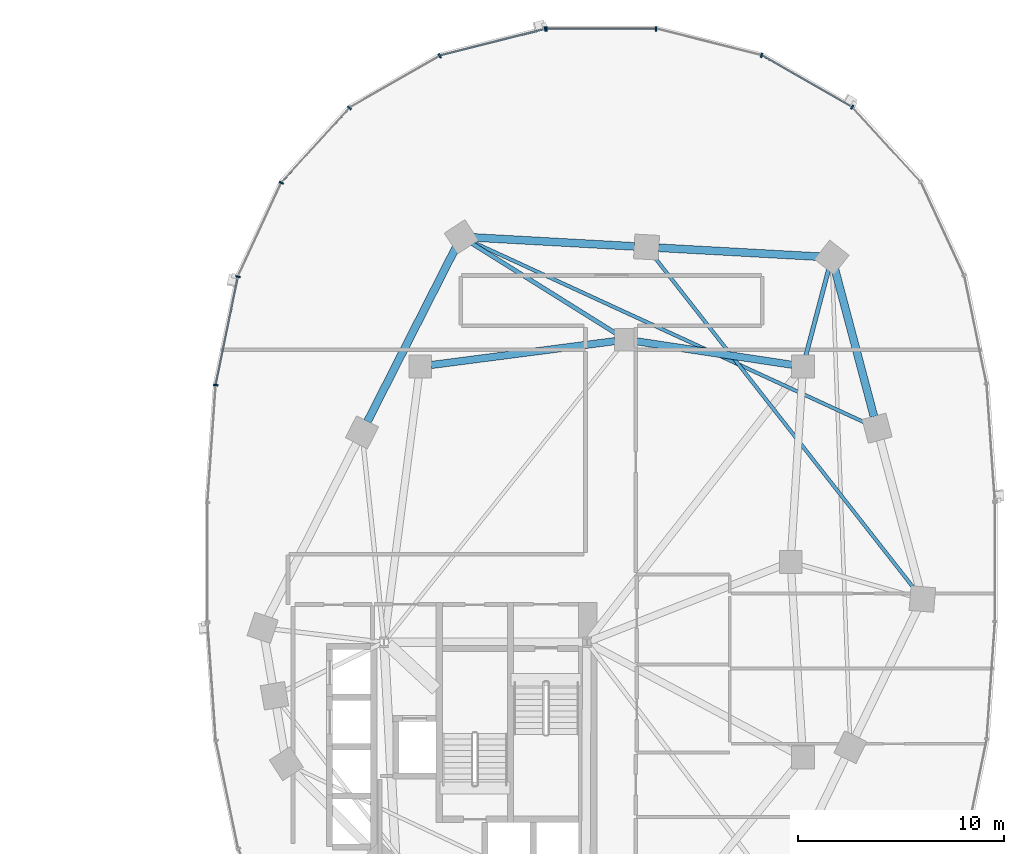
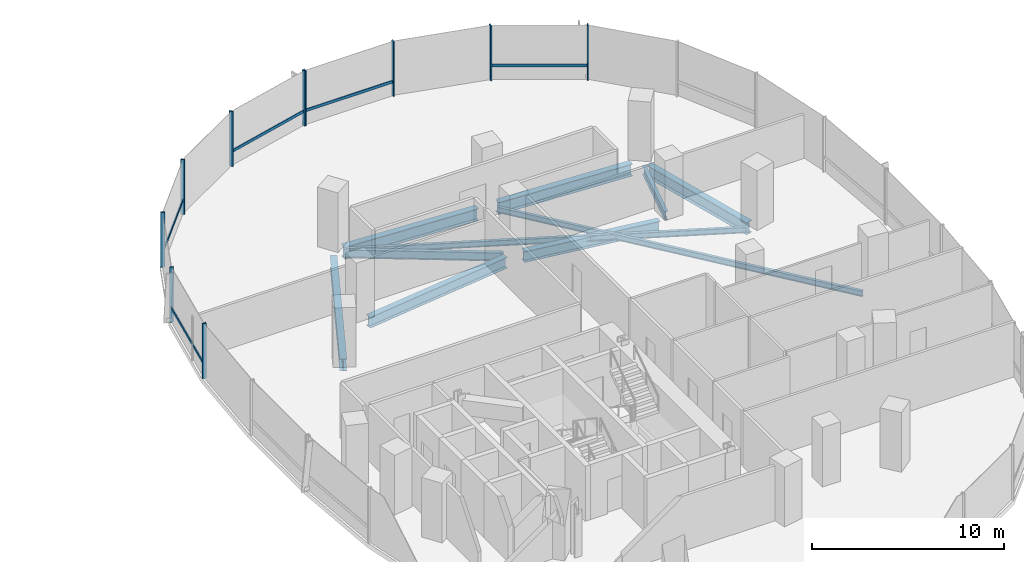
# One storey, part 7 of 21: 15 members, 10 beams, 2 elements without a shape of their own.
"""IFC4 building model written with IfcOpenShell, lengths in metres."""

import ifcopenshell
import ifcopenshell.guid

model = None  # the IFC model being written
_history = None  # IfcOwnerHistory: only IFC2X3 demands one
_inside = {}  # id of a spatial element -> (the spatial element, [elements in it])
_under = {}  # id of a project, library or spatial element -> (it, [spatial elements below it])
_declared = {}  # id of a project -> (the project, [libraries it declares])
_typed = {}  # id of a type object -> (the type object, [elements of that type])
_made_of = {}  # id of a material, layer set ... -> (it, [elements and type objects made of it])


def new_model(schema):
    """Start an empty IFC model of exactly this schema.

    Asked for "IFC4X3", IfcOpenShell would pick the latest addendum, in which some entities
    have other attributes; the version numbers below select the first issue.
    IFC2X3 requires an IfcOwnerHistory on every rooted entity: one is made here for all.
    """
    global model, _history
    if schema == "IFC4X3":
        model = ifcopenshell.file(schema_version=(4, 3, 0, 0))
    else:
        model = ifcopenshell.file(schema=schema)
    _inside.clear()
    _under.clear()
    _declared.clear()
    _typed.clear()
    _made_of.clear()
    _history = None
    if model.schema == "IFC2X3":
        org = make("IfcOrganization", Name="unknown")
        user = make(
            "IfcPersonAndOrganization",
            ThePerson=make("IfcPerson", FamilyName="unknown"),
            TheOrganization=org,
        )
        app = make(
            "IfcApplication",
            ApplicationDeveloper=org,
            Version="unknown",
            ApplicationFullName="unknown",
            ApplicationIdentifier="unknown",
        )
        _history = make(
            "IfcOwnerHistory",
            OwningUser=user,
            OwningApplication=app,
            ChangeAction="ADDED",
            CreationDate=0,
        )
    return model


def make(cls, **values):
    """One entity of the class cls with the attributes given. An attribute that is None is left unset."""
    return model.create_entity(
        cls, **{name: value for name, value in values.items() if value is not None}
    )


def rooted(cls, **values):
    """An entity with a GlobalId (a new one), such as an element, a storey or a relation."""
    return make(cls, GlobalId=ifcopenshell.guid.new(), OwnerHistory=_history, **values)


def si_unit(unit_type, name, prefix=None):
    """IfcSIUnit, for example si_unit("LENGTHUNIT", "METRE", prefix="MILLI")."""
    return make("IfcSIUnit", UnitType=unit_type, Prefix=prefix, Name=name)


def assignment(units):
    """IfcUnitAssignment: the units of a project."""
    return None if units is None else make("IfcUnitAssignment", Units=units)


def point(xyz):
    """IfcCartesianPoint."""
    return None if xyz is None else make("IfcCartesianPoint", Coordinates=xyz)


def direction(xyz):
    """IfcDirection."""
    return None if xyz is None else make("IfcDirection", DirectionRatios=xyz)


def frame(location, z_axis=None, x_axis=None):
    """IfcAxis2Placement3D, a coordinate frame: its origin and axes. An axis left out is left unset."""
    return make(
        "IfcAxis2Placement3D",
        Location=point(location),
        Axis=direction(z_axis),
        RefDirection=direction(x_axis),
    )


def frame_2d(location, x_axis=None):
    """IfcAxis2Placement2D, a coordinate frame in the plane: its origin and x axis."""
    return make(
        "IfcAxis2Placement2D", Location=point(location), RefDirection=direction(x_axis)
    )


def origin():
    """The frame at (0, 0, 0) with its axes left unset."""
    return frame((0.0, 0.0, 0.0))


def origin_2d():
    """The frame at (0, 0) in the plane with its x axis left unset."""
    return frame_2d((0.0, 0.0))


def place(relative_to, where):
    """IfcLocalPlacement: puts the frame where relative to a parent placement (None: the world)."""
    return make(
        "IfcLocalPlacement", PlacementRelTo=relative_to, RelativePlacement=where
    )


def context(
    kind, dimensions, precision=None, world=None, true_north=None, identifier=None
):
    """IfcGeometricRepresentationContext, for example the 3D "Model" context."""
    return make(
        "IfcGeometricRepresentationContext",
        ContextIdentifier=identifier,
        ContextType=kind,
        CoordinateSpaceDimension=dimensions,
        Precision=precision,
        WorldCoordinateSystem=world,
        TrueNorth=true_north,
    )


def subcontext(parent, identifier, kind, view, scale=None):
    """IfcGeometricRepresentationSubContext, for example "Body" below "Model"."""
    return make(
        "IfcGeometricRepresentationSubContext",
        ContextIdentifier=identifier,
        ContextType=kind,
        ParentContext=parent,
        TargetScale=scale,
        TargetView=view,
    )


def project(units=None, contexts=None):
    """IfcProject with its units and contexts."""
    return rooted(
        "IfcProject",
        Name="project",
        RepresentationContexts=contexts,
        UnitsInContext=assignment(units),
    )


def spatial(cls, under=None, at=None, **own):
    """A site, building, storey or space (cls), placed at a placement, below another one or the project."""
    s = rooted(cls, ObjectPlacement=at, **own)
    if under is not None:
        _under.setdefault(under.id(), (under, []))[1].append(s)
    return s


def profile(cls, at=None, kind="AREA", **sizes):
    """A parametric profile (cls). Its sizes go by their IFC names, for example OverallWidth=200.0."""
    return make(cls, ProfileType=kind, Position=at, **sizes)


def rectangle(**sizes):
    """IfcRectangleProfileDef."""
    return profile("IfcRectangleProfileDef", **sizes)


def i_section(**sizes):
    """IfcIShapeProfileDef."""
    return profile("IfcIShapeProfileDef", **sizes)


def extrude(swept, where, along, depth):
    """IfcExtrudedAreaSolid: the profile swept, set in the frame where, extruded along a direction by depth."""
    return make(
        "IfcExtrudedAreaSolid",
        SweptArea=swept,
        Position=where,
        ExtrudedDirection=direction(along),
        Depth=depth,
    )


def shape(context_of_items, identifier, shape_type, items):
    """IfcShapeRepresentation: the items that make up one representation, for example the "Body"."""
    return make(
        "IfcShapeRepresentation",
        ContextOfItems=context_of_items,
        RepresentationIdentifier=identifier,
        RepresentationType=shape_type,
        Items=items,
    )


def material(Name=None, Category=None):
    """IfcMaterial."""
    return make("IfcMaterial", Name=Name, Category=Category)


def material_profile(
    of_material, cross_section, Name=None, Category=None, Priority=None
):
    """IfcMaterialProfile: a cross section and its material."""
    return make(
        "IfcMaterialProfile",
        Name=Name,
        Material=of_material,
        Profile=cross_section,
        Priority=Priority,
        Category=Category,
    )


def profile_set(profiles, Name=None, composite=None):
    """IfcMaterialProfileSet."""
    return make(
        "IfcMaterialProfileSet",
        Name=Name,
        MaterialProfiles=profiles,
        CompositeProfile=composite,
    )


def made_of(thing, what):
    """Note that an element or type object is made of a material, layer set ...; save() writes the relation."""
    if what is not None:
        _made_of.setdefault(what.id(), (what, []))[1].append(thing)
    return thing


def type_object(cls, material=None, **own):
    """A type object (cls), such as IfcWallType, which elements share."""
    return made_of(rooted(cls, **own), material)


def element(
    cls,
    number,
    at=None,
    inside=None,
    cuts=None,
    type_object=None,
    material=None,
    context=None,
    identifier="Body",
    shape_type=None,
    held_by="IfcProductDefinitionShape",
    body=None,
    shapes=None,
    **own,
):
    """One element of the class cls, such as IfcWall. Its Tag is "e" and its number.

    at: its placement. inside: the storey or other place that contains it. cuts: it is an
    opening in that element (IfcRelVoidsElement). A single representation is given by context,
    identifier, shape_type and body (its items); several are given by shapes. held_by: the class
    of the entity that holds the representations. save() writes the other relations.
    """
    e = rooted(cls, Tag="e%d" % number, ObjectPlacement=at, **own)
    if body is not None:
        shapes = [shape(context, identifier, shape_type, body)]
    if shapes is not None:
        e.Representation = make(held_by, Representations=shapes)
    if inside is not None:
        _inside.setdefault(inside.id(), (inside, []))[1].append(e)
    if cuts is not None:
        rooted(
            "IfcRelVoidsElement", RelatingBuildingElement=cuts, RelatedOpeningElement=e
        )
    if type_object is not None:
        _typed.setdefault(type_object.id(), (type_object, []))[1].append(e)
    return made_of(e, material)


def aggregate(whole, parts):
    """IfcRelAggregates: a whole, such as a stair, and the parts it consists of."""
    return rooted("IfcRelAggregates", RelatingObject=whole, RelatedObjects=parts)


def save(model, path):
    """Write the relations noted so far, then the file.

    IfcRelAggregates (storeys below a building ...), IfcRelContainedInSpatialStructure (elements
    in a storey), IfcRelDefinesByType, IfcRelAssociatesMaterial and IfcRelDeclares: one each for
    every whole, place, type object, material and project.
    """
    for whole, parts in _under.values():
        aggregate(whole, parts)
    for where, things in _inside.values():
        rooted(
            "IfcRelContainedInSpatialStructure",
            RelatedElements=things,
            RelatingStructure=where,
        )
    for kind, things in _typed.values():
        rooted("IfcRelDefinesByType", RelatedObjects=things, RelatingType=kind)
    for what, things in _made_of.values():
        rooted("IfcRelAssociatesMaterial", RelatedObjects=things, RelatingMaterial=what)
    for by, libraries in _declared.values():
        rooted("IfcRelDeclares", RelatingContext=by, RelatedDefinitions=libraries)
    model.write(path)


model = new_model("IFC4")

# Units and contexts
model_context = context("Model", 3, precision=1e-05, world=origin(), true_north=direction((0.0, 1.0)))
body_context = subcontext(model_context, "Body", "Model", "MODEL_VIEW")
ifc_project = project(units=[si_unit("LENGTHUNIT", "METRE"), si_unit("AREAUNIT", "SQUARE_METRE"), si_unit("VOLUMEUNIT", "CUBIC_METRE"), si_unit("PLANEANGLEUNIT", "RADIAN"), si_unit("MASSUNIT", "GRAM", prefix="KILO"), si_unit("THERMODYNAMICTEMPERATUREUNIT", "KELVIN"), si_unit("POWERUNIT", "WATT")], contexts=[model_context])

# Site, building, storey
site_placement = place(None, origin())
site = spatial("IfcSite", under=ifc_project, at=site_placement, CompositionType="ELEMENT")
building_placement = place(site_placement, origin())
building = spatial("IfcBuilding", under=site, at=building_placement, Name="Cundina Bronze Exchange", CompositionType="ELEMENT")
storey_placement = place(building_placement, frame((0.0, 0.0, 50.60009765625)))
storey = spatial("IfcBuildingStorey", under=building, at=storey_placement, Name="L12", CompositionType="ELEMENT", Elevation=50.60009765625)

# Beams
ifc_material_1 = material(Name="Steel ASTM A992 Grade 50", Category="steel")
ifc_material_profile_1 = material_profile(ifc_material_1, i_section(OverallWidth=0.2099609375, OverallDepth=0.532958984375, WebThickness=0.01025390625, FlangeThickness=0.015625, FilletRadius=0.013916015625, at=origin_2d()), Name="W21X62", Category="steel")
ifc_profile_set_1 = profile_set([ifc_material_profile_1], Name="Steel ASTM A992 Grade 50")
beam_type_1 = type_object("IfcBeamType", Name="BM-FLR-W21B", PredefinedType="BEAM", material=ifc_profile_set_1)
beam_1_placement = place(storey_placement, frame((41.9375, 10.020263671875, -0.566650390625), z_axis=(0.255373327887, 0.966842522546, 0.0), x_axis=(-0.966842522546, 0.255373327887, 0.0)))
element("IfcBeam", 1, at=beam_1_placement, inside=storey, type_object=beam_type_1, Name="L12 Leg E Chordal Floor Beam 10", PredefinedType="BEAM", context=body_context, shape_type="SweptSolid", body=[
    extrude(i_section(OverallWidth=0.2099609375, OverallDepth=0.532958984375, WebThickness=0.01025390625, FlangeThickness=0.015625, FilletRadius=0.013916015625, at=origin_2d()), origin(), (0.0, 0.0, 1.0), 4.355712890625),
])
beam_2_placement = place(storey_placement, frame((32.743896484375, 11.085205078125, -0.566650390625), z_axis=(-0.848014812458, 0.529972525563, 0.0), x_axis=(-0.529972525563, -0.848014812458, 0.0)))
element("IfcBeam", 2, at=beam_2_placement, inside=storey, type_object=beam_type_1, Name="L12 Leg E Chordal Floor Beam 12", PredefinedType="BEAM", context=body_context, shape_type="SweptSolid", body=[
    extrude(i_section(OverallWidth=0.2099609375, OverallDepth=0.532958984375, WebThickness=0.01025390625, FlangeThickness=0.015625, FilletRadius=0.013916015625, at=origin_2d()), origin(), (0.0, 0.0, 1.0), 8.30810546875),
])
ifc_material_profile_2 = material_profile(ifc_material_1, i_section(OverallWidth=0.172119140625, OverallDepth=0.35791015625, WebThickness=0.0078125, FlangeThickness=0.01318359375, FilletRadius=0.010009765625, at=origin_2d()), Name="W14X38", Category="steel")
ifc_profile_set_2 = profile_set([ifc_material_profile_2], Name="Steel ASTM A992 Grade 50")
beam_type_2 = type_object("IfcBeamType", Name="BM-JST-W14", PredefinedType="JOIST", material=ifc_profile_set_2)
beam_3_placement = place(storey_placement, frame((47.2373046875, -1.337158203125, -0.47900390625), z_axis=(-0.616803089524, 0.787117493614, 0.0), x_axis=(-0.787117493614, -0.616803089524, 0.0)))
element("IfcBeam", 3, at=beam_3_placement, inside=storey, type_object=beam_type_2, Name="L12 Leg E Lobe Floor Joist 08-11", PredefinedType="JOIST", context=body_context, shape_type="SweptSolid", body=[
    extrude(i_section(OverallWidth=0.172119140625, OverallDepth=0.35791015625, WebThickness=0.0078125, FlangeThickness=0.01318359375, FilletRadius=0.010009765625, at=origin_2d()), origin(), (0.0, 0.0, 1.0), 20.548828125),
])
beam_4_placement = place(storey_placement, frame((44.865966796875, 6.745849609375, -0.47900390625), z_axis=(-0.908351511887, 0.418207521277, 0.0), x_axis=(-0.418207521277, -0.908351511887, 0.0)))
element("IfcBeam", 4, at=beam_4_placement, inside=storey, type_object=beam_type_2, Name="L12 Leg E Lobe Floor Joist 09-12", PredefinedType="JOIST", context=body_context, shape_type="SweptSolid", body=[
    extrude(i_section(OverallWidth=0.172119140625, OverallDepth=0.35791015625, WebThickness=0.0078125, FlangeThickness=0.01318359375, FilletRadius=0.010009765625, at=origin_2d()), origin(), (0.0, 0.0, 1.0), 21.062255859375),
])
ifc_material_profile_3 = material_profile(ifc_material_1, i_section(OverallWidth=0.35498046875, OverallDepth=0.695068359375, WebThickness=0.015380859375, FlangeThickness=0.02490234375, FilletRadius=0.01806640625, at=origin_2d()), Name="W27X146", Category="steel")
ifc_profile_set_3 = profile_set([ifc_material_profile_3], Name="Steel ASTM A992 Grade 50")
beam_type_3 = type_object("IfcBeamType", Name="BM-RING-W27", PredefinedType="USERDEFINED", material=ifc_profile_set_3)
beam_5_placement = place(storey_placement, frame((41.26806640625, 9.580322265625, -0.647705078125), z_axis=(-0.988767489563, 0.149461873341, 0.0), x_axis=(-0.149461873341, -0.988767489563, 0.0)))
element("IfcBeam", 5, at=beam_5_placement, inside=storey, type_object=beam_type_3, Name="L12 E Inner Structural Ring Girder 05", ObjectType="GIRDER", PredefinedType="USERDEFINED", context=body_context, shape_type="SweptSolid", body=[
    extrude(i_section(OverallWidth=0.35498046875, OverallDepth=0.695068359375, WebThickness=0.015380859375, FlangeThickness=0.02490234375, FilletRadius=0.01806640625, at=origin_2d()), origin(), (0.0, 0.0, 1.0), 7.621826171875),
])
beam_6_placement = place(storey_placement, frame((32.66650390625, 10.730712890625, -0.647705078125), z_axis=(-0.991654577907, -0.128923225666, 0.0), x_axis=(0.128923225666, -0.991654577907, 0.0)))
element("IfcBeam", 6, at=beam_6_placement, inside=storey, type_object=beam_type_3, Name="L12 E Inner Structural Ring Girder 06", ObjectType="GIRDER", PredefinedType="USERDEFINED", context=body_context, shape_type="SweptSolid", body=[
    extrude(i_section(OverallWidth=0.35498046875, OverallDepth=0.695068359375, WebThickness=0.015380859375, FlangeThickness=0.02490234375, FilletRadius=0.01806640625, at=origin_2d()), origin(), (0.0, 0.0, 1.0), 9.00830078125),
])
ifc_material_profile_4 = material_profile(ifc_material_1, i_section(OverallWidth=0.381103515625, OverallDepth=0.77294921875, WebThickness=0.0166015625, FlangeThickness=0.027099609375, FilletRadius=0.01904296875, at=origin_2d()), Name="W30X173", Category="steel")
ifc_profile_set_4 = profile_set([ifc_material_profile_4], Name="Steel ASTM A992 Grade 50")
beam_type_4 = type_object("IfcBeamType", Name="BM-RING-W30", PredefinedType="USERDEFINED", material=ifc_profile_set_4)
beam_7_placement = place(storey_placement, frame((45.249267578125, 7.068359375, -0.6865234375), z_axis=(-0.256208567826, 0.966621523541, 0.0), x_axis=(-0.966621523541, -0.256208567826, 0.0)))
element("IfcBeam", 7, at=beam_7_placement, inside=storey, type_object=beam_type_4, Name="L12 E Perimeter Ring Girder 09", ObjectType="GIRDER", PredefinedType="USERDEFINED", context=body_context, shape_type="SweptSolid", body=[
    extrude(i_section(OverallWidth=0.381103515625, OverallDepth=0.77294921875, WebThickness=0.0166015625, FlangeThickness=0.027099609375, FilletRadius=0.01904296875, at=origin_2d()), origin(), (0.0, 0.0, 1.0), 7.41064453125),
])
for number, where, z_axis, x_axis, name in (
    (8, (42.61279296875, 14.83251953125, -0.6865234375), (-0.998459969805, 0.055476920391, 0.0), (-0.055476920391, -0.998459969805, 0.0), "L12 E Perimeter Ring Girder 10"),
    (9, (33.61279296875, 15.33251953125, -0.6865234375), (-0.998459969805, 0.055476920391, 0.0), (-0.055476920391, -0.998459969805, 0.0), "L12 E Perimeter Ring Girder 11"),
):
    element("IfcBeam", number, at=place(storey_placement, frame(where, z_axis=z_axis, x_axis=x_axis)), inside=storey, type_object=beam_type_4, Name=name, ObjectType="GIRDER", PredefinedType="USERDEFINED", context=body_context, shape_type="SweptSolid", body=[
        extrude(i_section(OverallWidth=0.381103515625, OverallDepth=0.77294921875, WebThickness=0.0166015625, FlangeThickness=0.027099609375, FilletRadius=0.01904296875, at=origin_2d()), origin(), (0.0, 0.0, 1.0), 7.837646484375),
    ])
beam_8_placement = place(storey_placement, frame((24.93359375, 15.275634765625, -0.6865234375), z_axis=(-0.452819633606, -0.891602141889, 0.0), x_axis=(0.891602141889, -0.452819633606, 0.0)))
element("IfcBeam", 10, at=beam_8_placement, inside=storey, type_object=beam_type_4, Name="L12 E Perimeter Ring Girder 12", ObjectType="GIRDER", PredefinedType="USERDEFINED", context=body_context, shape_type="SweptSolid", body=[
    extrude(i_section(OverallWidth=0.381103515625, OverallDepth=0.77294921875, WebThickness=0.0166015625, FlangeThickness=0.027099609375, FilletRadius=0.01904296875, at=origin_2d()), origin(), (0.0, 0.0, 1.0), 9.47900390625),
])

# Curtain wall, members
ifc_material_2 = material(Name="Anodised Bronze Aluminium 6063-T6", Category="aluminium")
curtain_wall_type = type_object("IfcCurtainWallType", Name="CWS-TRD-LOW", PredefinedType="NOTDEFINED", material=ifc_material_2)
curtain_wall_1_placement = place(storey_placement, origin())
curtain_wall_1 = element("IfcCurtainWall", 11, at=curtain_wall_1_placement, inside=storey, type_object=curtain_wall_type, Name="L12 CW-02 Curtain Wall Run CWR-L12-E1", PredefinedType="NOTDEFINED")
ifc_material_profile_5 = material_profile(ifc_material_2, rectangle(XDim=0.074951171875, YDim=0.219970703125, at=origin_2d()), Name="AL75X220", Category="aluminium")
ifc_profile_set_5 = profile_set([ifc_material_profile_5], Name="Anodised Bronze Aluminium 6063-T6")
member_type_1 = type_object("IfcMemberType", Name="CWM-MUL-220", PredefinedType="MULLION", material=ifc_profile_set_5)
member_1_placement = place(storey_placement, frame((44.189697265625, 22.097412109375, 0.0), z_axis=(0.0, 0.0, 1.0), x_axis=(-0.867070701164, 0.498185105339, 0.0)))
member_1 = element("IfcMember", 12, at=member_1_placement, type_object=member_type_1, Name="CW-02 Mullion 5", PredefinedType="MULLION", context=body_context, shape_type="SweptSolid", body=[
    extrude(rectangle(XDim=0.074951171875, YDim=0.219970703125, at=origin_2d()), origin(), (0.0, 0.0, 1.0), 3.5),
])
member_2_placement = place(storey_placement, frame((39.78515625, 24.61669921875, 0.0), z_axis=(0.0, 0.0, 1.0), x_axis=(-0.969488149345, 0.245138182011, 0.0)))
member_2 = element("IfcMember", 13, at=member_2_placement, type_object=member_type_1, Name="CW-02 Mullion 6", PredefinedType="MULLION", context=body_context, shape_type="SweptSolid", body=[
    extrude(rectangle(XDim=0.074951171875, YDim=0.219970703125, at=origin_2d()), origin(), (0.0, 0.0, 1.0), 3.5),
])
member_3_placement = place(storey_placement, frame((34.654541015625, 25.905029296875, 0.0), z_axis=(0.0, 0.0, 1.0), x_axis=(-1.0, 0.0, 0.0)))
member_3 = element("IfcMember", 14, at=member_3_placement, type_object=member_type_1, Name="CW-02 Mullion 7", PredefinedType="MULLION", context=body_context, shape_type="SweptSolid", body=[
    extrude(rectangle(XDim=0.074951171875, YDim=0.219970703125, at=origin_2d()), origin(), (0.0, 0.0, 1.0), 3.5),
])
member_4_placement = place(storey_placement, frame((29.345458984375, 25.905029296875, 0.0), z_axis=(0.0, 0.0, 1.0), x_axis=(-1.0, 0.0, 0.0)))
member_4 = element("IfcMember", 15, at=member_4_placement, type_object=member_type_1, Name="CW-02 End Mullion", PredefinedType="MULLION", context=body_context, shape_type="SweptSolid", body=[
    extrude(rectangle(XDim=0.074951171875, YDim=0.219970703125, at=origin_2d()), origin(), (0.0, 0.0, 1.0), 3.5),
])

curtain_wall_2_placement = place(storey_placement, origin())
curtain_wall_2 = element("IfcCurtainWall", 16, at=curtain_wall_2_placement, inside=storey, type_object=curtain_wall_type, Name="L12 CW-02 Curtain Wall Run CWR-L12-E2", PredefinedType="NOTDEFINED")
member_5_placement = place(storey_placement, frame((29.27392578125, 25.89599609375, 0.0), z_axis=(0.0, 0.0, 1.0), x_axis=(-0.969488149345, -0.245138182011, 0.0)))
member_5 = element("IfcMember", 17, at=member_5_placement, type_object=member_type_1, Name="CW-02 Mullion 1", PredefinedType="MULLION", context=body_context, shape_type="SweptSolid", body=[
    extrude(rectangle(XDim=0.074951171875, YDim=0.219970703125, at=origin_2d()), origin(), (0.0, 0.0, 1.0), 3.5),
])
member_6_placement = place(storey_placement, frame((24.151123046875, 24.591064453125, 0.0), z_axis=(0.0, 0.0, 1.0), x_axis=(-0.867070701164, -0.498185105339, 0.0)))
member_6 = element("IfcMember", 18, at=member_6_placement, type_object=member_type_1, Name="CW-02 Mullion 2", PredefinedType="MULLION", context=body_context, shape_type="SweptSolid", body=[
    extrude(rectangle(XDim=0.074951171875, YDim=0.219970703125, at=origin_2d()), origin(), (0.0, 0.0, 1.0), 3.5),
])
member_7_placement = place(storey_placement, frame((19.760498046875, 22.0576171875, 0.0), z_axis=(0.0, 0.0, 1.0), x_axis=(-0.674302387584, -0.738455340626, 0.0)))
member_7 = element("IfcMember", 19, at=member_7_placement, type_object=member_type_1, Name="CW-02 Mullion 3", PredefinedType="MULLION", context=body_context, shape_type="SweptSolid", body=[
    extrude(rectangle(XDim=0.074951171875, YDim=0.219970703125, at=origin_2d()), origin(), (0.0, 0.0, 1.0), 3.5),
])
member_8_placement = place(storey_placement, frame((16.455810546875, 18.423583984375, 0.0), z_axis=(0.0, 0.0, 1.0), x_axis=(-0.42087749791, -0.907117485088, 0.0)))
member_8 = element("IfcMember", 20, at=member_8_placement, type_object=member_type_1, Name="CW-02 Mullion 4", PredefinedType="MULLION", context=body_context, shape_type="SweptSolid", body=[
    extrude(rectangle(XDim=0.074951171875, YDim=0.219970703125, at=origin_2d()), origin(), (0.0, 0.0, 1.0), 3.5),
])
member_9_placement = place(storey_placement, frame((14.348876953125, 13.861328125, 0.0), z_axis=(0.0, 0.0, 1.0), x_axis=(-0.201419845156, -0.979505000486, 0.0)))
member_9 = element("IfcMember", 21, at=member_9_placement, type_object=member_type_1, Name="CW-02 Mullion 5", PredefinedType="MULLION", context=body_context, shape_type="SweptSolid", body=[
    extrude(rectangle(XDim=0.074951171875, YDim=0.219970703125, at=origin_2d()), origin(), (0.0, 0.0, 1.0), 3.5),
])
member_10_placement = place(storey_placement, frame((13.27099609375, 8.591552734375, 0.0), z_axis=(0.0, 0.0, 1.0), x_axis=(-0.070278787473, -0.997527389113, 0.0)))
member_10 = element("IfcMember", 22, at=member_10_placement, type_object=member_type_1, Name="CW-02 Mullion 6", PredefinedType="MULLION", context=body_context, shape_type="SweptSolid", body=[
    extrude(rectangle(XDim=0.074951171875, YDim=0.219970703125, at=origin_2d()), origin(), (0.0, 0.0, 1.0), 3.5),
])

# Member
ifc_material_profile_6 = material_profile(ifc_material_2, rectangle(XDim=0.070068359375, YDim=0.179931640625, at=origin_2d()), Name="AL70X180", Category="aluminium")
ifc_profile_set_6 = profile_set([ifc_material_profile_6], Name="Anodised Bronze Aluminium 6063-T6")
member_type_2 = type_object("IfcMemberType", Name="CWM-TRN-180", PredefinedType="USERDEFINED", material=ifc_profile_set_6)
member_11_placement = place(storey_placement, frame((44.154052734375, 22.117919921875, 0.919921875), z_axis=(-0.867097475651, 0.498138502546, 0.0), x_axis=(-0.498138502546, -0.867097475651, 0.0)))
member_11 = element("IfcMember", 23, at=member_11_placement, type_object=member_type_2, Name="CW-02 Spandrel Transom 5", ObjectType="TRANSOM", PredefinedType="USERDEFINED", context=body_context, shape_type="SweptSolid", body=[
    extrude(rectangle(XDim=0.070068359375, YDim=0.179931640625, at=origin_2d()), origin(), (0.0, 0.0, 1.0), 5.00634765625),
])

member_12_placement = place(storey_placement, frame((34.61328125, 25.905029296875, 0.919921875), z_axis=(-1.0, 0.0, 0.0), x_axis=(0.0, -1.0, 0.0)))
member_12 = element("IfcMember", 24, at=member_12_placement, type_object=member_type_2, Name="CW-02 Spandrel Transom 7", ObjectType="TRANSOM", PredefinedType="USERDEFINED", context=body_context, shape_type="SweptSolid", body=[
    extrude(rectangle(XDim=0.070068359375, YDim=0.179931640625, at=origin_2d()), origin(), (0.0, 0.0, 1.0), 5.2265625),
])

aggregate(curtain_wall_1, [member_1, member_11, member_2, member_3, member_4, member_12])

member_13_placement = place(storey_placement, frame((29.23388671875, 25.885986328125, 0.919921875), z_axis=(-0.969483968866, -0.245154714644, 0.0), x_axis=(0.245154714644, -0.969483968866, 0.0)))
member_13 = element("IfcMember", 25, at=member_13_placement, type_object=member_type_2, Name="CW-02 Spandrel Transom 1", ObjectType="TRANSOM", PredefinedType="USERDEFINED", context=body_context, shape_type="SweptSolid", body=[
    extrude(rectangle(XDim=0.070068359375, YDim=0.179931640625, at=origin_2d()), origin(), (0.0, 0.0, 1.0), 5.21826171875),
])

member_14_placement = place(storey_placement, frame((19.73291015625, 22.027099609375, 0.919921875), z_axis=(-0.674302794847, -0.738454968743, 0.0), x_axis=(0.738454968743, -0.674302794847, 0.0)))
member_14 = element("IfcMember", 26, at=member_14_placement, type_object=member_type_2, Name="CW-02 Spandrel Transom 3", ObjectType="TRANSOM", PredefinedType="USERDEFINED", context=body_context, shape_type="SweptSolid", body=[
    extrude(rectangle(XDim=0.070068359375, YDim=0.179931640625, at=origin_2d()), origin(), (0.0, 0.0, 1.0), 4.848388671875),
])

member_15_placement = place(storey_placement, frame((14.340576171875, 13.821044921875, 0.919921875), z_axis=(-0.201427712708, -0.979503382615, 0.0), x_axis=(0.979503382615, -0.201427712708, 0.0)))
member_15 = element("IfcMember", 27, at=member_15_placement, type_object=member_type_2, Name="CW-02 Spandrel Transom 5", ObjectType="TRANSOM", PredefinedType="USERDEFINED", context=body_context, shape_type="SweptSolid", body=[
    extrude(rectangle(XDim=0.070068359375, YDim=0.179931640625, at=origin_2d()), origin(), (0.0, 0.0, 1.0), 5.291748046875),
])

aggregate(curtain_wall_2, [member_5, member_13, member_6, member_7, member_14, member_8, member_9, member_15, member_10])

save(model, "model.ifc")
